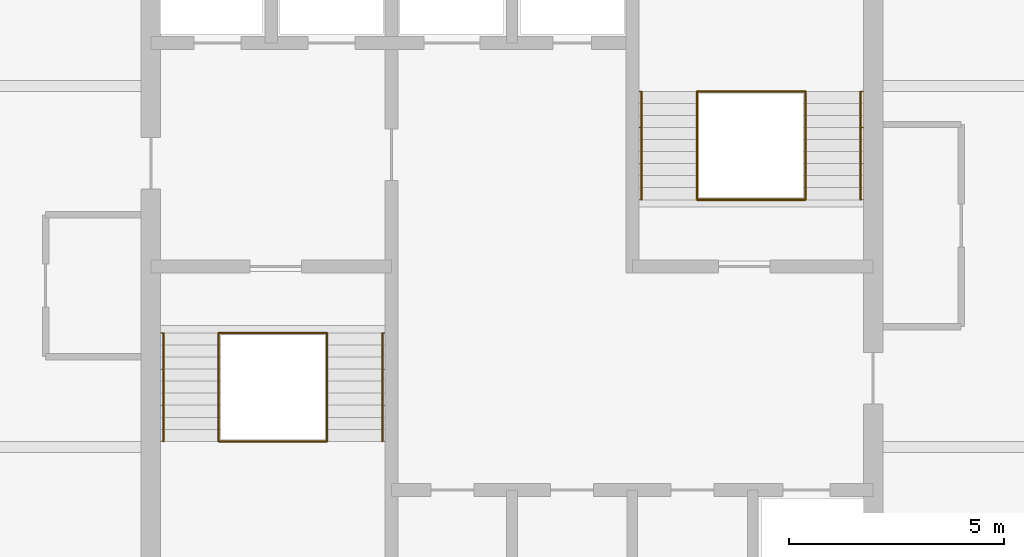
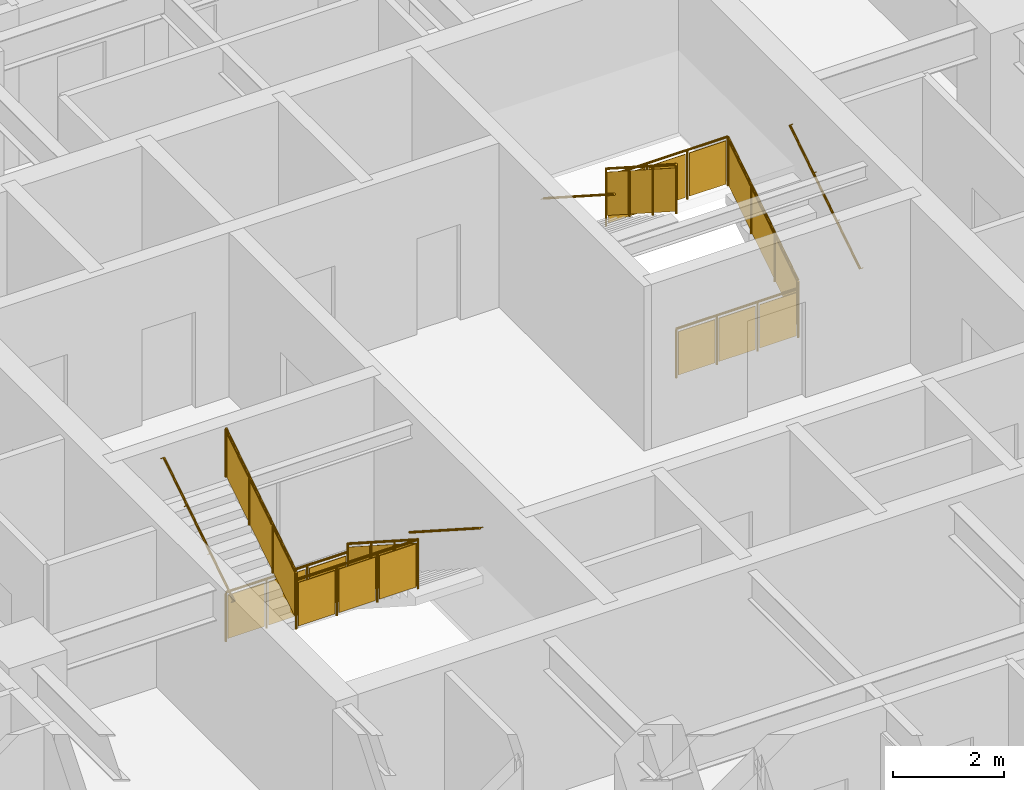
# One storey, part 10 of 10: 12 railings.
"""IFC4 building model written with IfcOpenShell, lengths in metres."""

from ifc_helpers import new_model, si_unit, direction, frame, origin, origin_2d, place, context, subcontext, project, spatial, polyline, circle, outline, extrude, material, type_object, element, save


model = new_model("IFC4")

# Units and contexts
model_context = context("Model", 3, precision=1e-05, world=origin(), true_north=direction((0.0, 1.0)))
body_context = subcontext(model_context, "Body", "Model", "MODEL_VIEW")
ifc_project = project(units=[si_unit("LENGTHUNIT", "METRE"), si_unit("AREAUNIT", "SQUARE_METRE"), si_unit("VOLUMEUNIT", "CUBIC_METRE"), si_unit("PLANEANGLEUNIT", "RADIAN"), si_unit("MASSUNIT", "GRAM", prefix="KILO")], contexts=[model_context])

# Site, building, storey
site_placement = place(None, origin())
site = spatial("IfcSite", under=ifc_project, at=site_placement, CompositionType="ELEMENT")
building_placement = place(site_placement, origin())
building = spatial("IfcBuilding", under=site, at=building_placement, Name="Torre Alcanfor", CompositionType="ELEMENT")
storey_placement = place(building_placement, frame((0.0, 0.0, 279.300048828125)))
storey = spatial("IfcBuildingStorey", under=building, at=storey_placement, Name="L73", CompositionType="ELEMENT", Elevation=279.300048828125)

# Railings
ifc_material_1 = material(Name="Steel ASTM A500 Grade C hollow sections", Category="steel")
railing_type_1 = type_object("IfcRailingType", Name="Stair guard and handrail 1100", PredefinedType="GUARDRAIL", material=ifc_material_1)
railing_1_placement = place(storey_placement, frame((25.10009765625, 27.85009765625, 0.179931640625)))
element("IfcRailing", 1, at=railing_1_placement, inside=storey, type_object=railing_type_1, Name="Stair guard S1 L73 flight 1", PredefinedType="GUARDRAIL", context=body_context, shape_type="SweptSolid", body=[
    extrude(circle(Radius=0.02392578125, at=origin_2d()), frame((0.0, 0.0, 1.076171875), z_axis=(0.0, -0.841162588446, 0.540782303519), x_axis=(1.0, 0.0, 0.0)), (0.0, 0.0, 1.0), 2.995849609375),
    extrude(circle(Radius=0.02099609375, at=origin_2d()), origin(), (0.0, 0.0, 1.0), 1.052001953125),
    extrude(circle(Radius=0.02099609375, at=origin_2d()), frame((0.0, -0.840087890625, 0.5400390625)), (0.0, 0.0, 1.0), 1.052001953125),
    extrude(circle(Radius=0.02099609375, at=origin_2d()), frame((0.0, -1.679931640625, 1.080078125)), (0.0, 0.0, 1.0), 1.052001953125),
    extrude(circle(Radius=0.02099609375, at=origin_2d()), frame((0.0, -2.52001953125, 1.6201171875)), (0.0, 0.0, 1.0), 1.052001953125),
    extrude(outline(polyline([(0.041015625, 0.076416015625), (0.799072265625, 0.563720703125), (0.799072265625, 1.515625), (0.041015625, 1.0283203125), (0.041015625, 0.076416015625)])), frame((0.005859375, 0.0, 0.0), z_axis=(-1.0, 0.0, 0.0), x_axis=(0.0, -1.0, 0.0)), (0.0, 0.0, 1.0), 0.011962890625),
    extrude(outline(polyline([(0.881103515625, 0.616455078125), (1.638916015625, 1.103759765625), (1.638916015625, 2.0556640625), (0.881103515625, 1.568359375), (0.881103515625, 0.616455078125)])), frame((0.005859375, 0.0, 0.0), z_axis=(-1.0, 0.0, 0.0), x_axis=(0.0, -1.0, 0.0)), (0.0, 0.0, 1.0), 0.011962890625),
    extrude(outline(polyline([(1.720947265625, 1.156494140625), (2.47900390625, 1.643798828125), (2.47900390625, 2.595703125), (1.720947265625, 2.1083984375), (1.720947265625, 1.156494140625)])), frame((0.005859375, 0.0, 0.0), z_axis=(-1.0, 0.0, 0.0), x_axis=(0.0, -1.0, 0.0)), (0.0, 0.0, 1.0), 0.011962890625),
])
railing_2_placement = place(storey_placement, frame((22.574951171875, 25.330078125, 1.97998046875)))
element("IfcRailing", 2, at=railing_2_placement, inside=storey, type_object=railing_type_1, Name="Stair guard S1 L73 flight 2", PredefinedType="GUARDRAIL", context=body_context, shape_type="SweptSolid", body=[
    extrude(circle(Radius=0.02392578125, at=origin_2d()), frame((0.0, 0.0, 1.076171875), z_axis=(0.0, 0.841199657755, 0.540724639528), x_axis=(-1.0, 0.0, 0.0)), (0.0, 0.0, 1.0), 2.995849609375),
    extrude(circle(Radius=0.02099609375, at=origin_2d()), origin(), (0.0, 0.0, 1.0), 1.052001953125),
    extrude(circle(Radius=0.02099609375, at=origin_2d()), frame((0.0, 0.840087890625, 0.5400390625)), (0.0, 0.0, 1.0), 1.052001953125),
    extrude(circle(Radius=0.02099609375, at=origin_2d()), frame((0.0, 1.679931640625, 1.079833984375)), (0.0, 0.0, 1.0), 1.052001953125),
    extrude(circle(Radius=0.02099609375, at=origin_2d()), frame((0.0, 2.52001953125, 1.619873046875)), (0.0, 0.0, 1.0), 1.052001953125),
    extrude(outline(polyline([(0.041015625, 0.076416015625), (0.799072265625, 0.563720703125), (0.799072265625, 1.515625), (0.041015625, 1.0283203125), (0.041015625, 0.076416015625)])), frame((-0.005859375, 0.0, 0.0), z_axis=(1.0, 0.0, 0.0), x_axis=(0.0, 1.0, 0.0)), (0.0, 0.0, 1.0), 0.011962890625),
    extrude(outline(polyline([(0.881103515625, 0.6162109375), (1.638916015625, 1.103515625), (1.638916015625, 2.0556640625), (0.881103515625, 1.568359375), (0.881103515625, 0.6162109375)])), frame((-0.005859375, 0.0, 0.0), z_axis=(1.0, 0.0, 0.0), x_axis=(0.0, 1.0, 0.0)), (0.0, 0.0, 1.0), 0.011962890625),
    extrude(outline(polyline([(1.720947265625, 1.15625), (2.47900390625, 1.6435546875), (2.47900390625, 2.595458984375), (1.720947265625, 2.108154296875), (1.720947265625, 1.15625)])), frame((-0.005859375, 0.0, 0.0), z_axis=(1.0, 0.0, 0.0), x_axis=(0.0, 1.0, 0.0)), (0.0, 0.0, 1.0), 0.011962890625),
])
for number, where, name in (
    (3, (22.574951171875, 27.85009765625, 0.0), "Stair well guard S1 L73 floor landing"),
    (4, (22.574951171875, 25.330078125, 1.800048828125), "Stair well guard S1 L73 half landing"),
):
    element("IfcRailing", number, at=place(storey_placement, frame(where)), inside=storey, type_object=railing_type_1, Name=name, PredefinedType="GUARDRAIL", context=body_context, shape_type="SweptSolid", body=[
        extrude(circle(Radius=0.02392578125, at=origin_2d()), frame((0.0, 0.0, 1.076171875), z_axis=(1.0, 0.0, 0.0), x_axis=(0.0, 1.0, 0.0)), (0.0, 0.0, 1.0), 2.525146484375),
        extrude(circle(Radius=0.02099609375, at=origin_2d()), origin(), (0.0, 0.0, 1.0), 1.052001953125),
        extrude(circle(Radius=0.02099609375, at=origin_2d()), frame((0.841796875, 0.0, 0.0)), (0.0, 0.0, 1.0), 1.052001953125),
        extrude(circle(Radius=0.02099609375, at=origin_2d()), frame((1.683349609375, 0.0, 0.0)), (0.0, 0.0, 1.0), 1.052001953125),
        extrude(circle(Radius=0.02099609375, at=origin_2d()), frame((2.525146484375, 0.0, 0.0)), (0.0, 0.0, 1.0), 1.052001953125),
        extrude(outline(polyline([(0.041015625, 0.050048828125), (0.80078125, 0.050048828125), (0.80078125, 1.001953125), (0.041015625, 1.001953125), (0.041015625, 0.050048828125)])), frame((0.0, 0.005859375, 0.0), z_axis=(0.0, -1.0, 0.0), x_axis=(1.0, 0.0, 0.0)), (0.0, 0.0, 1.0), 0.011962890625),
        extrude(outline(polyline([(0.8828125, 0.050048828125), (1.642333984375, 0.050048828125), (1.642333984375, 1.001953125), (0.8828125, 1.001953125), (0.8828125, 0.050048828125)])), frame((0.0, 0.005859375, 0.0), z_axis=(0.0, -1.0, 0.0), x_axis=(1.0, 0.0, 0.0)), (0.0, 0.0, 1.0), 0.011962890625),
        extrude(outline(polyline([(1.724365234375, 0.050048828125), (2.484130859375, 0.050048828125), (2.484130859375, 1.001953125), (1.724365234375, 1.001953125), (1.724365234375, 0.050048828125)])), frame((0.0, 0.005859375, 0.0), z_axis=(0.0, -1.0, 0.0), x_axis=(1.0, 0.0, 0.0)), (0.0, 0.0, 1.0), 0.011962890625),
    ])
railing_3_placement = place(storey_placement, frame((36.22509765625, 30.949951171875, 0.179931640625)))
element("IfcRailing", 5, at=railing_3_placement, inside=storey, type_object=railing_type_1, Name="Stair guard S2 L73 flight 1", PredefinedType="GUARDRAIL", context=body_context, shape_type="SweptSolid", body=[
    extrude(circle(Radius=0.02392578125, at=origin_2d()), frame((0.0, 0.0, 1.076171875), z_axis=(0.0, 0.841162588446, 0.540782303519), x_axis=(-1.0, 0.0, 0.0)), (0.0, 0.0, 1.0), 2.995849609375),
    extrude(circle(Radius=0.02099609375, at=origin_2d()), origin(), (0.0, 0.0, 1.0), 1.052001953125),
    extrude(circle(Radius=0.02099609375, at=origin_2d()), frame((0.0, 0.840087890625, 0.5400390625)), (0.0, 0.0, 1.0), 1.052001953125),
    extrude(circle(Radius=0.02099609375, at=origin_2d()), frame((0.0, 1.679931640625, 1.080078125)), (0.0, 0.0, 1.0), 1.052001953125),
    extrude(circle(Radius=0.02099609375, at=origin_2d()), frame((0.0, 2.52001953125, 1.6201171875)), (0.0, 0.0, 1.0), 1.052001953125),
    extrude(outline(polyline([(0.041015625, 0.076416015625), (0.799072265625, 0.563720703125), (0.799072265625, 1.515625), (0.041015625, 1.0283203125), (0.041015625, 0.076416015625)])), frame((-0.005859375, 0.0, 0.0), z_axis=(1.0, 0.0, 0.0), x_axis=(0.0, 1.0, 0.0)), (0.0, 0.0, 1.0), 0.011962890625),
    extrude(outline(polyline([(0.881103515625, 0.616455078125), (1.638916015625, 1.103759765625), (1.638916015625, 2.0556640625), (0.881103515625, 1.568359375), (0.881103515625, 0.616455078125)])), frame((-0.005859375, 0.0, 0.0), z_axis=(1.0, 0.0, 0.0), x_axis=(0.0, 1.0, 0.0)), (0.0, 0.0, 1.0), 0.011962890625),
    extrude(outline(polyline([(1.720947265625, 1.156494140625), (2.47900390625, 1.643798828125), (2.47900390625, 2.595703125), (1.720947265625, 2.1083984375), (1.720947265625, 1.156494140625)])), frame((-0.005859375, 0.0, 0.0), z_axis=(1.0, 0.0, 0.0), x_axis=(0.0, 1.0, 0.0)), (0.0, 0.0, 1.0), 0.011962890625),
])
railing_4_placement = place(storey_placement, frame((33.699951171875, 33.469970703125, 1.97998046875)))
element("IfcRailing", 6, at=railing_4_placement, inside=storey, type_object=railing_type_1, Name="Stair guard S2 L73 flight 2", PredefinedType="GUARDRAIL", context=body_context, shape_type="SweptSolid", body=[
    extrude(circle(Radius=0.02392578125, at=origin_2d()), frame((0.0, 0.0, 1.076171875), z_axis=(0.0, -0.841199657755, 0.540724639528), x_axis=(1.0, 0.0, 0.0)), (0.0, 0.0, 1.0), 2.995849609375),
    extrude(circle(Radius=0.02099609375, at=origin_2d()), origin(), (0.0, 0.0, 1.0), 1.052001953125),
    extrude(circle(Radius=0.02099609375, at=origin_2d()), frame((0.0, -0.840087890625, 0.5400390625)), (0.0, 0.0, 1.0), 1.052001953125),
    extrude(circle(Radius=0.02099609375, at=origin_2d()), frame((0.0, -1.679931640625, 1.079833984375)), (0.0, 0.0, 1.0), 1.052001953125),
    extrude(circle(Radius=0.02099609375, at=origin_2d()), frame((0.0, -2.52001953125, 1.619873046875)), (0.0, 0.0, 1.0), 1.052001953125),
    extrude(outline(polyline([(0.041015625, 0.076416015625), (0.799072265625, 0.563720703125), (0.799072265625, 1.515625), (0.041015625, 1.0283203125), (0.041015625, 0.076416015625)])), frame((0.005859375, 0.0, 0.0), z_axis=(-1.0, 0.0, 0.0), x_axis=(0.0, -1.0, 0.0)), (0.0, 0.0, 1.0), 0.011962890625),
    extrude(outline(polyline([(0.881103515625, 0.6162109375), (1.638916015625, 1.103515625), (1.638916015625, 2.0556640625), (0.881103515625, 1.568359375), (0.881103515625, 0.6162109375)])), frame((0.005859375, 0.0, 0.0), z_axis=(-1.0, 0.0, 0.0), x_axis=(0.0, -1.0, 0.0)), (0.0, 0.0, 1.0), 0.011962890625),
    extrude(outline(polyline([(1.720947265625, 1.15625), (2.47900390625, 1.6435546875), (2.47900390625, 2.595458984375), (1.720947265625, 2.108154296875), (1.720947265625, 1.15625)])), frame((0.005859375, 0.0, 0.0), z_axis=(-1.0, 0.0, 0.0), x_axis=(0.0, -1.0, 0.0)), (0.0, 0.0, 1.0), 0.011962890625),
])
for number, where, name in (
    (7, (33.699951171875, 30.949951171875, 0.0), "Stair well guard S2 L73 floor landing"),
    (8, (33.699951171875, 33.469970703125, 1.800048828125), "Stair well guard S2 L73 half landing"),
):
    element("IfcRailing", number, at=place(storey_placement, frame(where)), inside=storey, type_object=railing_type_1, Name=name, PredefinedType="GUARDRAIL", context=body_context, shape_type="SweptSolid", body=[
        extrude(circle(Radius=0.02392578125, at=origin_2d()), frame((0.0, 0.0, 1.076171875), z_axis=(1.0, 0.0, 0.0), x_axis=(0.0, 1.0, 0.0)), (0.0, 0.0, 1.0), 2.525146484375),
        extrude(circle(Radius=0.02099609375, at=origin_2d()), origin(), (0.0, 0.0, 1.0), 1.052001953125),
        extrude(circle(Radius=0.02099609375, at=origin_2d()), frame((0.841796875, 0.0, 0.0)), (0.0, 0.0, 1.0), 1.052001953125),
        extrude(circle(Radius=0.02099609375, at=origin_2d()), frame((1.683349609375, 0.0, 0.0)), (0.0, 0.0, 1.0), 1.052001953125),
        extrude(circle(Radius=0.02099609375, at=origin_2d()), frame((2.525146484375, 0.0, 0.0)), (0.0, 0.0, 1.0), 1.052001953125),
        extrude(outline(polyline([(0.041015625, 0.050048828125), (0.80078125, 0.050048828125), (0.80078125, 1.001953125), (0.041015625, 1.001953125), (0.041015625, 0.050048828125)])), frame((0.0, 0.005859375, 0.0), z_axis=(0.0, -1.0, 0.0), x_axis=(1.0, 0.0, 0.0)), (0.0, 0.0, 1.0), 0.011962890625),
        extrude(outline(polyline([(0.8828125, 0.050048828125), (1.642333984375, 0.050048828125), (1.642333984375, 1.001953125), (0.8828125, 1.001953125), (0.8828125, 0.050048828125)])), frame((0.0, 0.005859375, 0.0), z_axis=(0.0, -1.0, 0.0), x_axis=(1.0, 0.0, 0.0)), (0.0, 0.0, 1.0), 0.011962890625),
        extrude(outline(polyline([(1.724365234375, 0.050048828125), (2.484130859375, 0.050048828125), (2.484130859375, 1.001953125), (1.724365234375, 1.001953125), (1.724365234375, 0.050048828125)])), frame((0.0, 0.005859375, 0.0), z_axis=(0.0, -1.0, 0.0), x_axis=(1.0, 0.0, 0.0)), (0.0, 0.0, 1.0), 0.011962890625),
    ])
ifc_material_2 = material(Name="Steel ASTM A500 Grade C hollow sections", Category="steel")
railing_type_2 = type_object("IfcRailingType", Name="Stair wall handrail 900", PredefinedType="HANDRAIL", material=ifc_material_2)
railing_5_placement = place(storey_placement, frame((26.385009765625, 27.85009765625, 0.179931640625)))
element("IfcRailing", 9, at=railing_5_placement, inside=storey, type_object=railing_type_2, Name="Stair handrail S1 L73 flight 1", PredefinedType="HANDRAIL", context=body_context, shape_type="SweptSolid", body=[
    extrude(circle(Radius=0.02392578125, at=origin_2d()), frame((0.0, 0.0, 0.8759765625), z_axis=(0.0, -0.841162588446, 0.540782303519), x_axis=(1.0, 0.0, 0.0)), (0.0, 0.0, 1.0), 2.995849609375),
    extrude(circle(Radius=0.008056640625, at=origin_2d()), frame((0.0, 0.0, 0.8759765625), z_axis=(1.0, 0.0, 0.0), x_axis=(0.0, 0.0, 1.0)), (0.0, 0.0, 1.0), 0.06494140625),
    extrude(circle(Radius=0.008056640625, at=origin_2d()), frame((0.0, -0.840087890625, 1.416015625), z_axis=(1.0, 0.0, 0.0), x_axis=(0.0, 0.0, 1.0)), (0.0, 0.0, 1.0), 0.06494140625),
    extrude(circle(Radius=0.008056640625, at=origin_2d()), frame((0.0, -1.679931640625, 1.9560546875), z_axis=(1.0, 0.0, 0.0), x_axis=(0.0, 0.0, 1.0)), (0.0, 0.0, 1.0), 0.06494140625),
    extrude(circle(Radius=0.008056640625, at=origin_2d()), frame((0.0, -2.52001953125, 2.49609375), z_axis=(1.0, 0.0, 0.0), x_axis=(0.0, 0.0, 1.0)), (0.0, 0.0, 1.0), 0.06494140625),
])
railing_6_placement = place(storey_placement, frame((21.2900390625, 25.330078125, 1.97998046875)))
element("IfcRailing", 10, at=railing_6_placement, inside=storey, type_object=railing_type_2, Name="Stair handrail S1 L73 flight 2", PredefinedType="HANDRAIL", context=body_context, shape_type="SweptSolid", body=[
    extrude(circle(Radius=0.02392578125, at=origin_2d()), frame((0.0, 0.0, 0.8759765625), z_axis=(0.0, 0.841199657755, 0.540724639528), x_axis=(-1.0, 0.0, 0.0)), (0.0, 0.0, 1.0), 2.995849609375),
    extrude(circle(Radius=0.008056640625, at=origin_2d()), frame((0.0, 0.0, 0.8759765625), z_axis=(-1.0, 0.0, 0.0), x_axis=(0.0, 0.0, 1.0)), (0.0, 0.0, 1.0), 0.06494140625),
    extrude(circle(Radius=0.008056640625, at=origin_2d()), frame((0.0, 0.840087890625, 1.415771484375), z_axis=(-1.0, 0.0, 0.0), x_axis=(0.0, 0.0, 1.0)), (0.0, 0.0, 1.0), 0.06494140625),
    extrude(circle(Radius=0.008056640625, at=origin_2d()), frame((0.0, 1.679931640625, 1.955810546875), z_axis=(-1.0, 0.0, 0.0), x_axis=(0.0, 0.0, 1.0)), (0.0, 0.0, 1.0), 0.06494140625),
    extrude(circle(Radius=0.008056640625, at=origin_2d()), frame((0.0, 2.52001953125, 2.49560546875), z_axis=(-1.0, 0.0, 0.0), x_axis=(0.0, 0.0, 1.0)), (0.0, 0.0, 1.0), 0.06494140625),
])
railing_7_placement = place(storey_placement, frame((37.510009765625, 30.949951171875, 0.179931640625)))
element("IfcRailing", 11, at=railing_7_placement, inside=storey, type_object=railing_type_2, Name="Stair handrail S2 L73 flight 1", PredefinedType="HANDRAIL", context=body_context, shape_type="SweptSolid", body=[
    extrude(circle(Radius=0.02392578125, at=origin_2d()), frame((0.0, 0.0, 0.8759765625), z_axis=(0.0, 0.841162588446, 0.540782303519), x_axis=(-1.0, 0.0, 0.0)), (0.0, 0.0, 1.0), 2.995849609375),
    extrude(circle(Radius=0.008056640625, at=origin_2d()), frame((0.0, 0.0, 0.8759765625), z_axis=(1.0, 0.0, 0.0), x_axis=(0.0, 0.0, 1.0)), (0.0, 0.0, 1.0), 0.06494140625),
    extrude(circle(Radius=0.008056640625, at=origin_2d()), frame((0.0, 0.840087890625, 1.416015625), z_axis=(1.0, 0.0, 0.0), x_axis=(0.0, 0.0, 1.0)), (0.0, 0.0, 1.0), 0.06494140625),
    extrude(circle(Radius=0.008056640625, at=origin_2d()), frame((0.0, 1.679931640625, 1.9560546875), z_axis=(1.0, 0.0, 0.0), x_axis=(0.0, 0.0, 1.0)), (0.0, 0.0, 1.0), 0.06494140625),
    extrude(circle(Radius=0.008056640625, at=origin_2d()), frame((0.0, 2.52001953125, 2.49609375), z_axis=(1.0, 0.0, 0.0), x_axis=(0.0, 0.0, 1.0)), (0.0, 0.0, 1.0), 0.06494140625),
])
railing_8_placement = place(storey_placement, frame((32.4150390625, 33.469970703125, 1.97998046875)))
element("IfcRailing", 12, at=railing_8_placement, inside=storey, type_object=railing_type_2, Name="Stair handrail S2 L73 flight 2", PredefinedType="HANDRAIL", context=body_context, shape_type="SweptSolid", body=[
    extrude(circle(Radius=0.02392578125, at=origin_2d()), frame((0.0, 0.0, 0.8759765625), z_axis=(0.0, -0.841199657755, 0.540724639528), x_axis=(1.0, 0.0, 0.0)), (0.0, 0.0, 1.0), 2.995849609375),
    extrude(circle(Radius=0.008056640625, at=origin_2d()), frame((0.0, 0.0, 0.8759765625), z_axis=(-1.0, 0.0, 0.0), x_axis=(0.0, 0.0, 1.0)), (0.0, 0.0, 1.0), 0.06494140625),
    extrude(circle(Radius=0.008056640625, at=origin_2d()), frame((0.0, -0.840087890625, 1.415771484375), z_axis=(-1.0, 0.0, 0.0), x_axis=(0.0, 0.0, 1.0)), (0.0, 0.0, 1.0), 0.06494140625),
    extrude(circle(Radius=0.008056640625, at=origin_2d()), frame((0.0, -1.679931640625, 1.955810546875), z_axis=(-1.0, 0.0, 0.0), x_axis=(0.0, 0.0, 1.0)), (0.0, 0.0, 1.0), 0.06494140625),
    extrude(circle(Radius=0.008056640625, at=origin_2d()), frame((0.0, -2.52001953125, 2.49560546875), z_axis=(-1.0, 0.0, 0.0), x_axis=(0.0, 0.0, 1.0)), (0.0, 0.0, 1.0), 0.06494140625),
])

save(model, "model.ifc")
